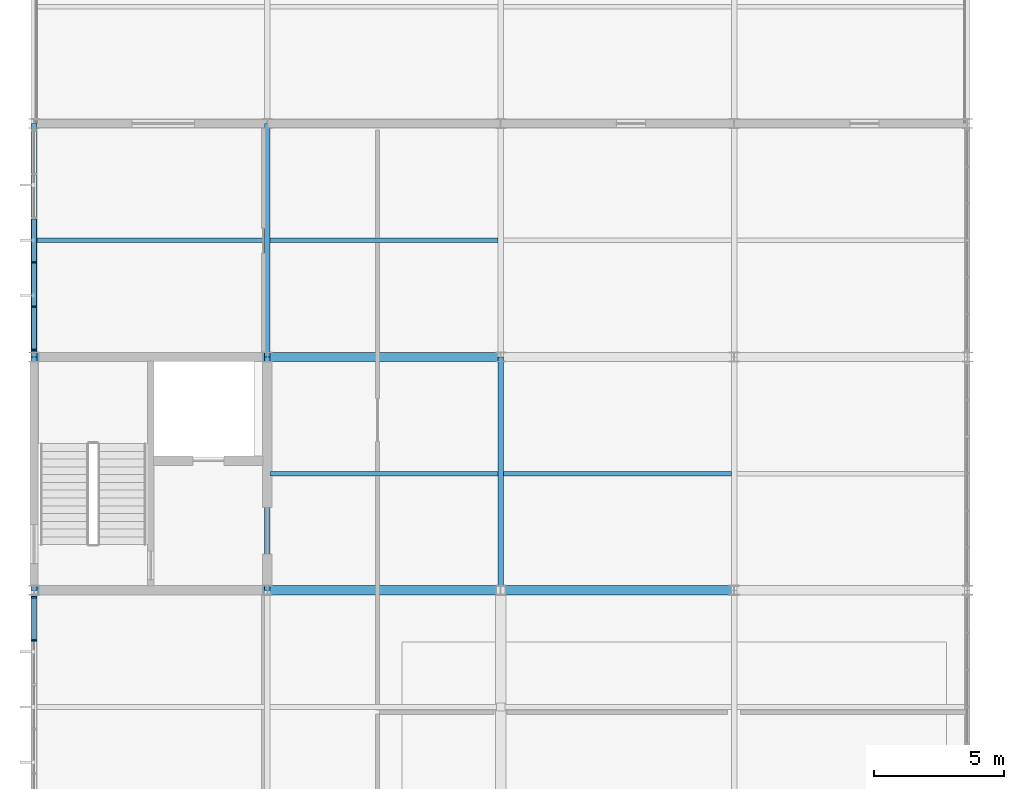
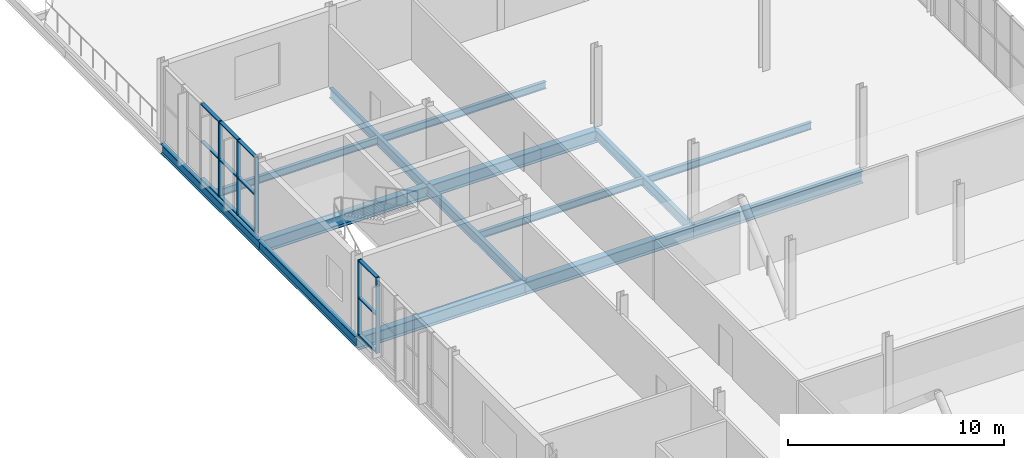
# One storey, part 29 of 103: 17 members, 14 beams, 2 elements without a shape of their own.
"""IFC4 building model written with IfcOpenShell, lengths in metres."""

from ifc_helpers import new_model, si_unit, direction, frame, origin, origin_2d, place, context, subcontext, project, spatial, rectangle, i_section, extrude, material, layer, layer_set, material_profile, profile_set, type_object, element, aggregate, save


model = new_model("IFC4")

# Units and contexts
model_context = context("Model", 3, precision=1e-05, world=origin(), true_north=direction((0.0, 1.0)))
body_context = subcontext(model_context, "Body", "Model", "MODEL_VIEW")
ifc_project = project(units=[si_unit("LENGTHUNIT", "METRE"), si_unit("AREAUNIT", "SQUARE_METRE"), si_unit("VOLUMEUNIT", "CUBIC_METRE"), si_unit("PLANEANGLEUNIT", "RADIAN"), si_unit("MASSUNIT", "GRAM", prefix="KILO")], contexts=[model_context])

# Site, building, storey
site_placement = place(None, origin())
site = spatial("IfcSite", under=ifc_project, at=site_placement, CompositionType="ELEMENT")
building_placement = place(site_placement, origin())
building = spatial("IfcBuilding", under=site, at=building_placement, Name="Cazmaro Siding Exhibition Halls", CompositionType="ELEMENT")
storey_placement = place(building_placement, frame((0.0, 0.0, 16.5)))
storey = spatial("IfcBuildingStorey", under=building, at=storey_placement, Name="L03", CompositionType="ELEMENT", Elevation=16.5)

# Beams
ifc_material_1 = material(Name="Steel ASTM A992 Grade 50", Category="steel")
ifc_material_profile_1 = material_profile(ifc_material_1, i_section(OverallWidth=0.214111328125, OverallDepth=0.549072265625, WebThickness=0.014892578125, FlangeThickness=0.02392578125, at=origin_2d()), Name="W21X93")
ifc_profile_set_1 = profile_set([ifc_material_profile_1], Name="Steel ASTM A992 Grade 50")
beam_type_1 = type_object("IfcBeamType", Name="B-01", PredefinedType="BEAM", material=ifc_profile_set_1)
for number, where, z_axis, x_axis, name in (
    (1, (0.0, 91.0, -0.493896484375), (0.0, 1.0, 0.0), (-1.0, 0.0, 0.0), "Beam B-01 BM-2242"),
    (2, (0.0, 100.0, -0.493896484375), (0.0, 1.0, 0.0), (-1.0, 0.0, 0.0), "Beam B-01 BM-2243"),
    (3, (9.0, 91.0, -0.493896484375), (0.0, 1.0, 0.0), (-1.0, 0.0, 0.0), "Beam B-01 BM-2250"),
    (4, (9.0, 100.0, -0.493896484375), (0.0, 1.0, 0.0), (-1.0, 0.0, 0.0), "Beam B-01 BM-2251"),
    (5, (18.0, 91.0, -0.493896484375), (0.0, 1.0, 0.0), (-1.0, 0.0, 0.0), "Beam B-01 BM-2258"),
):
    element("IfcBeam", number, at=place(storey_placement, frame(where, z_axis=z_axis, x_axis=x_axis)), inside=storey, type_object=beam_type_1, Name=name, PredefinedType="BEAM", context=body_context, shape_type="SweptSolid", body=[
        extrude(i_section(OverallWidth=0.214111328125, OverallDepth=0.549072265625, WebThickness=0.014892578125, FlangeThickness=0.02392578125, at=origin_2d()), origin(), (0.0, 0.0, 1.0), 9.0),
    ])

# Curtain wall, members
ifc_material_2 = material(Name="Anodized Bronze Aluminum and Solar-Control Low-E Glazing", Category="aluminium")
ifc_layer = layer(ifc_material_2, 0.199951171875)
ifc_layer_set = layer_set([ifc_layer], Name="Anodized Bronze Aluminum and Solar-Control Low-E Glazing")
curtain_wall_type = type_object("IfcCurtainWallType", Name="CWS-02", PredefinedType="USERDEFINED", material=ifc_layer_set)
curtain_wall_1_placement = place(storey_placement, origin())
curtain_wall_1 = element("IfcCurtainWall", 6, at=curtain_wall_1_placement, inside=storey, type_object=curtain_wall_type, Name="Glazed Curtain Wall CWS-02 CW-251", ObjectType="GLAZED CURTAIN WALL", PredefinedType="USERDEFINED")
ifc_material_3 = material(Name="Anodized Bronze Extruded Aluminum", Category="aluminium")
ifc_material_profile_2 = material_profile(ifc_material_3, rectangle(XDim=0.199951171875, YDim=0.06494140625, at=origin_2d()), Name="CWM-02")
ifc_profile_set_2 = profile_set([ifc_material_profile_2], Name="Anodized Bronze Extruded Aluminum")
member_type_1 = type_object("IfcMemberType", Name="CWM-02", PredefinedType="MULLION", material=ifc_profile_set_2)
member_1_placement = place(storey_placement, frame((0.0, 90.734619140625, 0.0), z_axis=(0.0, 0.0, 1.0), x_axis=(1.0, 0.0, 0.0)))
member_1 = element("IfcMember", 7, at=member_1_placement, type_object=member_type_1, Name="CWS-02 mullion 1", PredefinedType="MULLION", context=body_context, shape_type="SweptSolid", body=[
    extrude(rectangle(XDim=0.199951171875, YDim=0.06494140625, at=origin_2d()), origin(), (0.0, 0.0, 1.0), 4.280029296875),
])
member_2_placement = place(storey_placement, frame((0.0, 89.060302734375, 0.0), z_axis=(0.0, 0.0, 1.0), x_axis=(1.0, 0.0, 0.0)))
member_2 = element("IfcMember", 8, at=member_2_placement, type_object=member_type_1, Name="CWS-02 mullion 2", PredefinedType="MULLION", context=body_context, shape_type="SweptSolid", body=[
    extrude(rectangle(XDim=0.199951171875, YDim=0.06494140625, at=origin_2d()), origin(), (0.0, 0.0, 1.0), 4.280029296875),
])

curtain_wall_2_placement = place(storey_placement, origin())
curtain_wall_2 = element("IfcCurtainWall", 9, at=curtain_wall_2_placement, inside=storey, type_object=curtain_wall_type, Name="Glazed Curtain Wall CWS-02 CW-254", ObjectType="GLAZED CURTAIN WALL", PredefinedType="USERDEFINED")
member_3_placement = place(storey_placement, frame((0.0, 103.646484375, 0.0), z_axis=(0.0, 0.0, 1.0), x_axis=(1.0, 0.0, 0.0)))
member_3 = element("IfcMember", 10, at=member_3_placement, type_object=member_type_1, Name="CWS-02 mullion 4", PredefinedType="MULLION", context=body_context, shape_type="SweptSolid", body=[
    extrude(rectangle(XDim=0.199951171875, YDim=0.06494140625, at=origin_2d()), origin(), (0.0, 0.0, 1.0), 4.280029296875),
])
member_4_placement = place(storey_placement, frame((0.0, 101.939697265625, 0.0), z_axis=(0.0, 0.0, 1.0), x_axis=(1.0, 0.0, 0.0)))
member_4 = element("IfcMember", 11, at=member_4_placement, type_object=member_type_1, Name="CWS-02 mullion 5", PredefinedType="MULLION", context=body_context, shape_type="SweptSolid", body=[
    extrude(rectangle(XDim=0.199951171875, YDim=0.06494140625, at=origin_2d()), origin(), (0.0, 0.0, 1.0), 4.280029296875),
])
member_5_placement = place(storey_placement, frame((0.0, 100.265380859375, 0.0), z_axis=(0.0, 0.0, 1.0), x_axis=(1.0, 0.0, 0.0)))
member_5 = element("IfcMember", 12, at=member_5_placement, type_object=member_type_1, Name="CWS-02 mullion 6", PredefinedType="MULLION", context=body_context, shape_type="SweptSolid", body=[
    extrude(rectangle(XDim=0.199951171875, YDim=0.06494140625, at=origin_2d()), origin(), (0.0, 0.0, 1.0), 4.280029296875),
])

# Member
ifc_material_4 = material(Name="Anodized Bronze Extruded Aluminum", Category="aluminium")
ifc_material_profile_3 = material_profile(ifc_material_4, rectangle(XDim=0.179931640625, YDim=0.06494140625, at=origin_2d()), Name="CWT-02")
ifc_profile_set_3 = profile_set([ifc_material_profile_3], Name="Anodized Bronze Extruded Aluminum")
member_type_2 = type_object("IfcMemberType", Name="CWT-02", PredefinedType="MULLION", material=ifc_profile_set_3)
member_6_placement = place(storey_placement, frame((0.0, 90.701904296875, 0.032470703125), z_axis=(0.0, -1.0, 0.0), x_axis=(1.0, 0.0, 0.0)))
member_6 = element("IfcMember", 13, at=member_6_placement, type_object=member_type_2, Name="CWS-02 transom 1.1", ObjectType="TRANSOM", PredefinedType="USERDEFINED", context=body_context, shape_type="SweptSolid", body=[
    extrude(rectangle(XDim=0.179931640625, YDim=0.06494140625, at=origin_2d()), origin(), (0.0, 0.0, 1.0), 1.609130859375),
])

member_7_placement = place(storey_placement, frame((0.0, 90.701904296875, 2.139892578125), z_axis=(0.0, -1.0, 0.0), x_axis=(1.0, 0.0, 0.0)))
member_7 = element("IfcMember", 14, at=member_7_placement, type_object=member_type_2, Name="CWS-02 transom 1.2", ObjectType="TRANSOM", PredefinedType="USERDEFINED", context=body_context, shape_type="SweptSolid", body=[
    extrude(rectangle(XDim=0.179931640625, YDim=0.06494140625, at=origin_2d()), origin(), (0.0, 0.0, 1.0), 1.609130859375),
])

member_8_placement = place(storey_placement, frame((0.0, 90.701904296875, 4.24755859375), z_axis=(0.0, -1.0, 0.0), x_axis=(1.0, 0.0, 0.0)))
member_8 = element("IfcMember", 15, at=member_8_placement, type_object=member_type_2, Name="CWS-02 transom 1.3", ObjectType="TRANSOM", PredefinedType="USERDEFINED", context=body_context, shape_type="SweptSolid", body=[
    extrude(rectangle(XDim=0.179931640625, YDim=0.06494140625, at=origin_2d()), origin(), (0.0, 0.0, 1.0), 1.609130859375),
])

aggregate(curtain_wall_1, [member_1, member_2, member_6, member_7, member_8])

member_9_placement = place(storey_placement, frame((0.0, 105.32080078125, 0.032470703125), z_axis=(0.0, -1.0, 0.0), x_axis=(1.0, 0.0, 0.0)))
member_9 = element("IfcMember", 16, at=member_9_placement, type_object=member_type_2, Name="CWS-02 transom 3.1", ObjectType="TRANSOM", PredefinedType="USERDEFINED", context=body_context, shape_type="SweptSolid", body=[
    extrude(rectangle(XDim=0.179931640625, YDim=0.06494140625, at=origin_2d()), origin(), (0.0, 0.0, 1.0), 1.6416015625),
])

member_10_placement = place(storey_placement, frame((0.0, 105.32080078125, 2.139892578125), z_axis=(0.0, -1.0, 0.0), x_axis=(1.0, 0.0, 0.0)))
member_10 = element("IfcMember", 17, at=member_10_placement, type_object=member_type_2, Name="CWS-02 transom 3.2", ObjectType="TRANSOM", PredefinedType="USERDEFINED", context=body_context, shape_type="SweptSolid", body=[
    extrude(rectangle(XDim=0.179931640625, YDim=0.06494140625, at=origin_2d()), origin(), (0.0, 0.0, 1.0), 1.6416015625),
])

member_11_placement = place(storey_placement, frame((0.0, 105.32080078125, 4.24755859375), z_axis=(0.0, -1.0, 0.0), x_axis=(1.0, 0.0, 0.0)))
member_11 = element("IfcMember", 18, at=member_11_placement, type_object=member_type_2, Name="CWS-02 transom 3.3", ObjectType="TRANSOM", PredefinedType="USERDEFINED", context=body_context, shape_type="SweptSolid", body=[
    extrude(rectangle(XDim=0.179931640625, YDim=0.06494140625, at=origin_2d()), origin(), (0.0, 0.0, 1.0), 1.6416015625),
])

member_12_placement = place(storey_placement, frame((0.0, 103.614013671875, 0.032470703125), z_axis=(0.0, -1.0, 0.0), x_axis=(1.0, 0.0, 0.0)))
member_12 = element("IfcMember", 19, at=member_12_placement, type_object=member_type_2, Name="CWS-02 transom 4.1", ObjectType="TRANSOM", PredefinedType="USERDEFINED", context=body_context, shape_type="SweptSolid", body=[
    extrude(rectangle(XDim=0.179931640625, YDim=0.06494140625, at=origin_2d()), origin(), (0.0, 0.0, 1.0), 1.6416015625),
])

member_13_placement = place(storey_placement, frame((0.0, 103.614013671875, 2.139892578125), z_axis=(0.0, -1.0, 0.0), x_axis=(1.0, 0.0, 0.0)))
member_13 = element("IfcMember", 20, at=member_13_placement, type_object=member_type_2, Name="CWS-02 transom 4.2", ObjectType="TRANSOM", PredefinedType="USERDEFINED", context=body_context, shape_type="SweptSolid", body=[
    extrude(rectangle(XDim=0.179931640625, YDim=0.06494140625, at=origin_2d()), origin(), (0.0, 0.0, 1.0), 1.6416015625),
])

member_14_placement = place(storey_placement, frame((0.0, 103.614013671875, 4.24755859375), z_axis=(0.0, -1.0, 0.0), x_axis=(1.0, 0.0, 0.0)))
member_14 = element("IfcMember", 21, at=member_14_placement, type_object=member_type_2, Name="CWS-02 transom 4.3", ObjectType="TRANSOM", PredefinedType="USERDEFINED", context=body_context, shape_type="SweptSolid", body=[
    extrude(rectangle(XDim=0.179931640625, YDim=0.06494140625, at=origin_2d()), origin(), (0.0, 0.0, 1.0), 1.6416015625),
])

member_15_placement = place(storey_placement, frame((0.0, 101.9072265625, 0.032470703125), z_axis=(0.0, -1.0, 0.0), x_axis=(1.0, 0.0, 0.0)))
member_15 = element("IfcMember", 22, at=member_15_placement, type_object=member_type_2, Name="CWS-02 transom 5.1", ObjectType="TRANSOM", PredefinedType="USERDEFINED", context=body_context, shape_type="SweptSolid", body=[
    extrude(rectangle(XDim=0.179931640625, YDim=0.06494140625, at=origin_2d()), origin(), (0.0, 0.0, 1.0), 1.609130859375),
])

member_16_placement = place(storey_placement, frame((0.0, 101.9072265625, 2.139892578125), z_axis=(0.0, -1.0, 0.0), x_axis=(1.0, 0.0, 0.0)))
member_16 = element("IfcMember", 23, at=member_16_placement, type_object=member_type_2, Name="CWS-02 transom 5.2", ObjectType="TRANSOM", PredefinedType="USERDEFINED", context=body_context, shape_type="SweptSolid", body=[
    extrude(rectangle(XDim=0.179931640625, YDim=0.06494140625, at=origin_2d()), origin(), (0.0, 0.0, 1.0), 1.609130859375),
])

member_17_placement = place(storey_placement, frame((0.0, 101.9072265625, 4.24755859375), z_axis=(0.0, -1.0, 0.0), x_axis=(1.0, 0.0, 0.0)))
member_17 = element("IfcMember", 24, at=member_17_placement, type_object=member_type_2, Name="CWS-02 transom 5.3", ObjectType="TRANSOM", PredefinedType="USERDEFINED", context=body_context, shape_type="SweptSolid", body=[
    extrude(rectangle(XDim=0.179931640625, YDim=0.06494140625, at=origin_2d()), origin(), (0.0, 0.0, 1.0), 1.609130859375),
])

aggregate(curtain_wall_2, [member_3, member_4, member_5, member_9, member_10, member_11, member_12, member_13, member_14, member_15, member_16, member_17])

# Beams
ifc_material_5 = material(Name="Steel ASTM A992 Grade 50", Category="steel")
ifc_material_profile_4 = material_profile(ifc_material_5, i_section(OverallWidth=0.35595703125, OverallDepth=0.696044921875, WebThickness=0.014892578125, FlangeThickness=0.02490234375, at=origin_2d()), Name="W27X146")
ifc_profile_set_4 = profile_set([ifc_material_profile_4], Name="Steel ASTM A992 Grade 50")
beam_type_2 = type_object("IfcBeamType", Name="G-05", PredefinedType="USERDEFINED", material=ifc_profile_set_4)
for number, where, z_axis, x_axis, name in (
    (25, (0.0, 91.0, -0.568115234375), (1.0, 0.0, 0.0), (0.0, 1.0, 0.0), "Beam G-05 BM-2176"),
    (26, (0.0, 100.0, -0.568115234375), (1.0, 0.0, 0.0), (0.0, 1.0, 0.0), "Beam G-05 BM-2177"),
    (27, (9.0, 91.0, -0.568115234375), (1.0, 0.0, 0.0), (0.0, 1.0, 0.0), "Beam G-05 BM-2191"),
    (28, (9.0, 100.0, -0.568115234375), (1.0, 0.0, 0.0), (0.0, 1.0, 0.0), "Beam G-05 BM-2192"),
    (29, (18.0, 91.0, -0.568115234375), (1.0, 0.0, 0.0), (0.0, 1.0, 0.0), "Beam G-05 BM-2208"),
):
    element("IfcBeam", number, at=place(storey_placement, frame(where, z_axis=z_axis, x_axis=x_axis)), inside=storey, type_object=beam_type_2, Name=name, ObjectType="GIRDER", PredefinedType="USERDEFINED", context=body_context, shape_type="SweptSolid", body=[
        extrude(i_section(OverallWidth=0.35595703125, OverallDepth=0.696044921875, WebThickness=0.014892578125, FlangeThickness=0.02490234375, at=origin_2d()), origin(), (0.0, 0.0, 1.0), 9.0),
    ])
ifc_material_6 = material(Name="Steel ASTM A992 Grade 50", Category="steel")
ifc_material_profile_5 = material_profile(ifc_material_6, i_section(OverallWidth=0.177978515625, OverallDepth=0.406005859375, WebThickness=0.008056640625, FlangeThickness=0.012939453125, at=origin_2d()), Name="W16X40")
ifc_profile_set_5 = profile_set([ifc_material_profile_5], Name="Steel ASTM A992 Grade 50")
beam_type_3 = type_object("IfcBeamType", Name="J-02", PredefinedType="JOIST", material=ifc_profile_set_5)
for number, where, z_axis, x_axis, name in (
    (30, (0.10693359375, 104.5, -0.423095703125), (1.0, 0.0, 0.0), (0.0, 1.0, 0.0), "Beam J-02 BM-2184"),
    (31, (9.10693359375, 95.5, -0.423095703125), (1.0, 0.0, 0.0), (0.0, 1.0, 0.0), "Beam J-02 BM-2200"),
    (32, (9.10693359375, 104.5, -0.423095703125), (1.0, 0.0, 0.0), (0.0, 1.0, 0.0), "Beam J-02 BM-2201"),
    (33, (18.10693359375, 95.5, -0.423095703125), (1.0, 0.0, 0.0), (0.0, 1.0, 0.0), "Beam J-02 BM-2217"),
):
    element("IfcBeam", number, at=place(storey_placement, frame(where, z_axis=z_axis, x_axis=x_axis)), inside=storey, type_object=beam_type_3, Name=name, PredefinedType="JOIST", context=body_context, shape_type="SweptSolid", body=[
        extrude(i_section(OverallWidth=0.177978515625, OverallDepth=0.406005859375, WebThickness=0.008056640625, FlangeThickness=0.012939453125, at=origin_2d()), origin(), (0.0, 0.0, 1.0), 8.7861328125),
    ])

save(model, "model.ifc")
